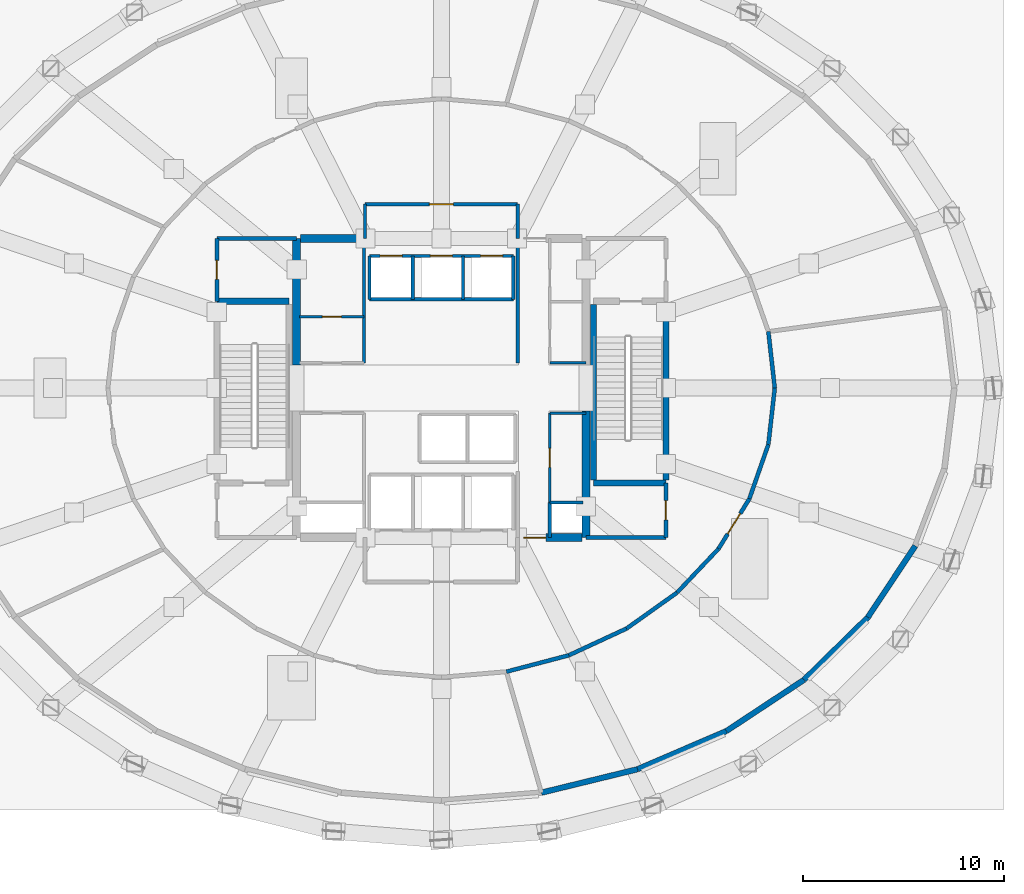
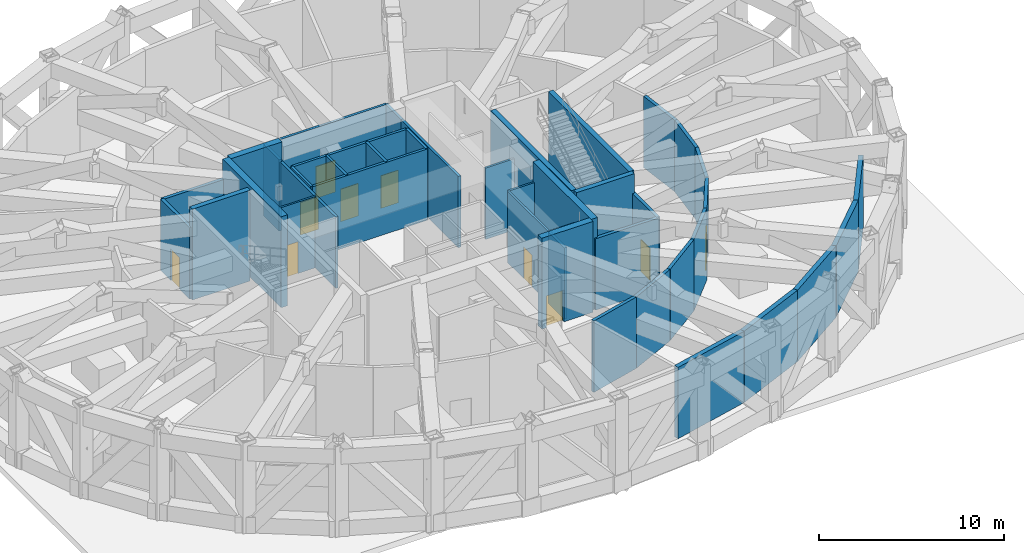
# One storey, part 6 of 12: 42 walls, 10 doors, 10 openings.
"""IFC4 building model written with IfcOpenShell, lengths in metres."""

from ifc_helpers import new_model, si_unit, direction, frame, frame_2d, origin, place, context, subcontext, project, spatial, rectangle, extrude, material, layer, layer_set, type_object, element, fill, save


model = new_model("IFC4")

# Units and contexts
model_context = context("Model", 3, precision=1e-05, world=origin(), true_north=direction((0.0, 1.0)))
body_context = subcontext(model_context, "Body", "Model", "MODEL_VIEW")
ifc_project = project(units=[si_unit("LENGTHUNIT", "METRE"), si_unit("AREAUNIT", "SQUARE_METRE"), si_unit("VOLUMEUNIT", "CUBIC_METRE"), si_unit("PLANEANGLEUNIT", "RADIAN"), si_unit("MASSUNIT", "GRAM", prefix="KILO")], contexts=[model_context])

# Site, building, storey
site_placement = place(None, origin())
site = spatial("IfcSite", under=ifc_project, at=site_placement, CompositionType="ELEMENT")
building_placement = place(site_placement, origin())
building = spatial("IfcBuilding", under=site, at=building_placement, Name="Veldorina Hangang Commons", CompositionType="ELEMENT")
storey_placement = place(building_placement, frame((0.0, 0.0, 24.39990234375)))
storey = spatial("IfcBuildingStorey", under=building, at=storey_placement, Name="L05", CompositionType="ELEMENT", Elevation=24.39990234375)

# Walls
ifc_material_1 = material(Name="Concrete C70/85", Category="concrete")
ifc_layer_1 = layer(ifc_material_1, 0.39990234375)
ifc_layer_set_1 = layer_set([ifc_layer_1], Name="Concrete C70/85")
wall_type_1 = type_object("IfcWallType", Name="CW-RC400-C70", PredefinedType="SHEAR", material=ifc_layer_set_1)
for number, where, z_axis, x_axis, name in (
    (1, (24.800048828125, 25.14990234375, 0.0), (0.0, 0.0, 1.0), (0.0, 1.0, 0.0), "L05 W north core shear wall"),
    (2, (39.199951171875, 16.550048828125, 0.0), (0.0, 0.0, 1.0), (0.0, 1.0, 0.0), "L05 E south core shear wall"),
):
    element("IfcWall", number, at=place(storey_placement, frame(where, z_axis=z_axis, x_axis=x_axis)), inside=storey, type_object=wall_type_1, Name=name, PredefinedType="SHEAR", context=body_context, shape_type="SweptSolid", body=[
        extrude(rectangle(XDim=6.300048828125, YDim=0.39990234375, at=frame_2d((3.14990234375, 0.0))), origin(), (0.0, 0.0, 1.0), 6.0),
    ])

# Wall, opening, door
wall_1_placement = place(storey_placement, frame((35.800048828125, 16.550048828125, 0.0), z_axis=(0.0, 0.0, 1.0), x_axis=(1.0, 0.0, 0.0)))
wall_1 = element("IfcWall", 3, at=wall_1_placement, inside=storey, type_object=wall_type_1, Name="L05 south-east core shear wall", PredefinedType="SHEAR", context=body_context, shape_type="SweptSolid", body=[
    extrude(rectangle(XDim=3.199951171875, YDim=0.39990234375, at=frame_2d((1.60009765625, 0.0))), origin(), (0.0, 0.0, 1.0), 6.0),
])
opening_1_placement = place(wall_1_placement, frame((0.300048828125, 0.0, 0.0)))
opening_1 = element("IfcOpeningElement", 4, at=opening_1_placement, cuts=wall_1, Name="Opening D-08", PredefinedType="OPENING", context=body_context, shape_type="SweptSolid", body=[
    extrude(rectangle(XDim=1.10009765625, YDim=2.10009765625, at=frame_2d((0.550048828125, 1.050048828125))), frame((0.0, 0.2099609375, 0.0), z_axis=(0.0, -1.0, 0.0), x_axis=(1.0, 0.0, 0.0)), (0.0, 0.0, 1.0), 0.419921875),
])
ifc_material_2 = material(Name="Steel Fire-Rated Smoke Seal", Category="steel")
door_type_1 = type_object("IfcDoorType", Name="DR-FIRE-1100", OperationType="SINGLE_SWING_RIGHT", PredefinedType="DOOR", material=ifc_material_2)
door_1_placement = place(opening_1_placement, origin())
door_1 = element("IfcDoor", 5, at=door_1_placement, inside=storey, type_object=door_type_1, Name="L05 central lift lobby south corridor door", OperationType="SINGLE_SWING_RIGHT", OverallHeight=2.10009765625, OverallWidth=1.10009765625, PredefinedType="DOOR", context=body_context, shape_type="SweptSolid", body=[
    extrude(rectangle(XDim=1.10009765625, YDim=2.10009765625, at=frame_2d((0.550048828125, 1.050048828125))), frame((0.0, 0.02490234375, 0.0), z_axis=(0.0, -1.0, 0.0), x_axis=(1.0, 0.0, 0.0)), (0.0, 0.0, 1.0), 0.050048828125),
])
fill(opening_1, door_1)

# Walls
wall_2_placement = place(storey_placement, frame((25.0, 31.449951171875, 0.0), z_axis=(0.0, 0.0, 1.0), x_axis=(1.0, 0.0, 0.0)))
element("IfcWall", 6, at=wall_2_placement, inside=storey, type_object=wall_type_1, Name="L05 north-west core shear wall", PredefinedType="SHEAR", context=body_context, shape_type="SweptSolid", body=[
    extrude(rectangle(XDim=3.199951171875, YDim=0.39990234375, at=frame_2d((1.60009765625, 0.0))), origin(), (0.0, 0.0, 1.0), 6.0),
])
ifc_material_3 = material(Name="Stone Roman Travertine", Category="masonry")
ifc_layer_2 = layer(ifc_material_3, 0.280029296875)
ifc_layer_set_2 = layer_set([ifc_layer_2], Name="Stone Roman Travertine")
wall_type_2 = type_object("IfcWallType", Name="EW-TRAV-280", PredefinedType="STANDARD", material=ifc_layer_set_2)
wall_3_placement = place(storey_placement, frame((36.982666015625, 3.854736328125, 0.0), z_axis=(0.0, 0.0, 1.0), x_axis=(0.97151283312, 0.236986951292, 0.0)))
element("IfcWall", 7, at=wall_3_placement, inside=storey, type_object=wall_type_2, Name="L05 transfer plant exterior stone wall 25", PredefinedType="STANDARD", context=body_context, shape_type="SweptSolid", body=[
    extrude(rectangle(XDim=4.931396484375, YDim=0.280029296875, at=frame_2d((2.4658203125, 0.0))), origin(), (0.0, 0.0, 1.0), 4.710205078125),
])
wall_4_placement = place(storey_placement, frame((41.773681640625, 5.0234375, 0.0), z_axis=(0.0, 0.0, 1.0), x_axis=(0.918705683067, 0.394942866629, 0.0)))
element("IfcWall", 8, at=wall_4_placement, inside=storey, type_object=wall_type_2, Name="L05 transfer plant exterior stone wall 26", PredefinedType="STANDARD", context=body_context, shape_type="SweptSolid", body=[
    extrude(rectangle(XDim=4.80615234375, YDim=0.280029296875, at=frame_2d((2.403076171875, 0.0))), origin(), (0.0, 0.0, 1.0), 4.710205078125),
])
wall_5_placement = place(storey_placement, frame((46.189208984375, 6.921630859375, 0.0), z_axis=(0.0, 0.0, 1.0), x_axis=(0.834608922487, 0.550842941776, 0.0)))
element("IfcWall", 9, at=wall_5_placement, inside=storey, type_object=wall_type_2, Name="L05 transfer plant exterior stone wall 27", PredefinedType="STANDARD", context=body_context, shape_type="SweptSolid", body=[
    extrude(rectangle(XDim=4.637451171875, YDim=0.280029296875, at=frame_2d((2.31884765625, 0.0))), origin(), (0.0, 0.0, 1.0), 4.710205078125),
])
wall_6_placement = place(storey_placement, frame((50.0595703125, 9.47607421875, 0.0), z_axis=(0.0, 0.0, 1.0), x_axis=(0.714207899037, 0.699933623248, 0.0)))
element("IfcWall", 10, at=wall_6_placement, inside=storey, type_object=wall_type_2, Name="L05 transfer plant exterior stone wall 28", PredefinedType="STANDARD", context=body_context, shape_type="SweptSolid", body=[
    extrude(rectangle(XDim=4.447021484375, YDim=0.280029296875, at=frame_2d((2.2236328125, 0.0))), origin(), (0.0, 0.0, 1.0), 4.710205078125),
])
wall_7_placement = place(storey_placement, frame((53.235595703125, 12.588623046875, 0.0), z_axis=(0.0, 0.0, 1.0), x_axis=(0.55356334222, 0.832807076189, 0.0)))
element("IfcWall", 11, at=wall_7_placement, inside=storey, type_object=wall_type_2, Name="L05 transfer plant exterior stone wall 29", PredefinedType="STANDARD", context=body_context, shape_type="SweptSolid", body=[
    extrude(rectangle(XDim=4.263916015625, YDim=0.280029296875, at=frame_2d((2.1318359375, 0.0))), origin(), (0.0, 0.0, 1.0), 4.710205078125),
])
ifc_material_4 = material(Name="Concrete C50/60", Category="concrete")
ifc_layer_3 = layer(ifc_material_4, 0.300048828125)
ifc_layer_set_3 = layer_set([ifc_layer_3], Name="Concrete C50/60")
wall_type_3 = type_object("IfcWallType", Name="SW-STAIR-300", PredefinedType="SHEAR", material=ifc_layer_set_3)
wall_8_placement = place(storey_placement, frame((20.820068359375, 28.320068359375, 0.0), z_axis=(0.0, 0.0, 1.0), x_axis=(1.0, 0.0, 0.0)))
element("IfcWall", 12, at=wall_8_placement, inside=storey, type_object=wall_type_3, Name="L05 ST1 north stair shear wall", PredefinedType="SHEAR", context=body_context, shape_type="SweptSolid", body=[
    extrude(rectangle(XDim=3.599853515625, YDim=0.300048828125, at=frame_2d((1.7998046875, 0.0))), origin(), (0.0, 0.0, 1.0), 6.0),
])
for number, where, z_axis, x_axis, name in (
    (13, (43.179931640625, 19.429931640625, 0.0), (0.0, 0.0, 1.0), (0.0, 1.0, 0.0), "L05 ST2 outer stair shear wall"),
    (14, (39.580078125, 19.429931640625, 0.0), (0.0, 0.0, 1.0), (0.0, 1.0, 0.0), "L05 ST2 inner stair shear wall"),
):
    element("IfcWall", number, at=place(storey_placement, frame(where, z_axis=z_axis, x_axis=x_axis)), inside=storey, type_object=wall_type_3, Name=name, PredefinedType="SHEAR", context=body_context, shape_type="SweptSolid", body=[
        extrude(rectangle(XDim=8.739990234375, YDim=0.300048828125, at=frame_2d((4.3701171875, 0.0))), origin(), (0.0, 0.0, 1.0), 6.0),
    ])
wall_9_placement = place(storey_placement, frame((39.580078125, 19.280029296875, 0.0), z_axis=(0.0, 0.0, 1.0), x_axis=(1.0, 0.0, 0.0)))
element("IfcWall", 15, at=wall_9_placement, inside=storey, type_object=wall_type_3, Name="L05 ST2 south stair shear wall", PredefinedType="SHEAR", context=body_context, shape_type="SweptSolid", body=[
    extrude(rectangle(XDim=3.599853515625, YDim=0.300048828125, at=frame_2d((1.7998046875, 0.0))), origin(), (0.0, 0.0, 1.0), 6.0),
])
ifc_material_5 = material(Name="Gypsum Fire-Rated Twin Stud Wall", Category="gypsum")
ifc_layer_4 = layer(ifc_material_5, 0.159912109375)
ifc_layer_set_4 = layer_set([ifc_layer_4], Name="Gypsum Fire-Rated Twin Stud Wall")
wall_type_4 = type_object("IfcWallType", Name="WL-FIRE-160", PredefinedType="SOLIDWALL", material=ifc_layer_set_4)
wall_10_placement = place(storey_placement, frame((37.39990234375, 16.550048828125, 0.0), z_axis=(0.0, 0.0, 1.0), x_axis=(0.0, 1.0, 0.0)))
element("IfcWall", 16, at=wall_10_placement, inside=storey, type_object=wall_type_4, Name="L05 Lift passage SE stub 010", PredefinedType="SOLIDWALL", context=body_context, shape_type="SweptSolid", body=[
    extrude(rectangle(XDim=1.75, YDim=0.159912109375, at=frame_2d((0.875, 0.0))), origin(), (0.0, 0.0, 1.0), 4.710205078125),
])
wall_11_placement = place(storey_placement, frame((35.800048828125, 25.25, 0.0), z_axis=(0.0, 0.0, 1.0), x_axis=(0.0, 1.0, 0.0)))
element("IfcWall", 17, at=wall_11_placement, inside=storey, type_object=wall_type_4, Name="L05 Lift passage NW wall 011", PredefinedType="SOLIDWALL", context=body_context, shape_type="SweptSolid", body=[
    extrude(rectangle(XDim=6.199951171875, YDim=0.159912109375, at=frame_2d((3.10009765625, 0.0))), origin(), (0.0, 0.0, 1.0), 4.710205078125),
])

# Wall, openings, doors
wall_12_placement = place(storey_placement, frame((28.419921875, 30.580078125, 0.0), z_axis=(0.0, 0.0, 1.0), x_axis=(1.0, 0.0, 0.0)))
wall_12 = element("IfcWall", 18, at=wall_12_placement, inside=storey, type_object=wall_type_4, Name="L05 Low-bank front shaft wall 015", PredefinedType="SOLIDWALL", context=body_context, shape_type="SweptSolid", body=[
    extrude(rectangle(XDim=7.16015625, YDim=0.159912109375, at=frame_2d((3.580078125, 0.0))), origin(), (0.0, 0.0, 1.0), 4.710205078125),
])
opening_2_placement = place(wall_12_placement, frame((0.530029296875, 0.0, 0.0)))
opening_2 = element("IfcOpeningElement", 19, at=opening_2_placement, cuts=wall_12, Name="Opening LD-01", PredefinedType="OPENING", context=body_context, shape_type="SweptSolid", body=[
    extrude(rectangle(XDim=1.10009765625, YDim=2.14990234375, at=frame_2d((0.550048828125, 1.074951171875))), frame((0.0, 0.08984375, 0.0), z_axis=(0.0, -1.0, 0.0), x_axis=(1.0, 0.0, 0.0)), (0.0, 0.0, 1.0), 0.179931640625),
])
opening_3_placement = place(wall_12_placement, frame((3.030029296875, 0.0, 0.0)))
opening_3 = element("IfcOpeningElement", 20, at=opening_3_placement, cuts=wall_12, Name="Opening LD-01", PredefinedType="OPENING", context=body_context, shape_type="SweptSolid", body=[
    extrude(rectangle(XDim=1.10009765625, YDim=2.14990234375, at=frame_2d((0.550048828125, 1.074951171875))), frame((0.0, 0.08984375, 0.0), z_axis=(0.0, -1.0, 0.0), x_axis=(1.0, 0.0, 0.0)), (0.0, 0.0, 1.0), 0.179931640625),
])
opening_4_placement = place(wall_12_placement, frame((5.530029296875, 0.0, 0.0)))
opening_4 = element("IfcOpeningElement", 21, at=opening_4_placement, cuts=wall_12, Name="Opening LD-01", PredefinedType="OPENING", context=body_context, shape_type="SweptSolid", body=[
    extrude(rectangle(XDim=1.10009765625, YDim=2.14990234375, at=frame_2d((0.550048828125, 1.074951171875))), frame((0.0, 0.08984375, 0.0), z_axis=(0.0, -1.0, 0.0), x_axis=(1.0, 0.0, 0.0)), (0.0, 0.0, 1.0), 0.179931640625),
])
ifc_material_6 = material(Name="Stainless Steel Brushed Lift Door", Category="steel")
door_type_2 = type_object("IfcDoorType", Name="DR-LIFT-1100", OperationType="SLIDING_TO_LEFT", PredefinedType="DOOR", material=ifc_material_6)
door_2_placement = place(opening_2_placement, origin())
door_2 = element("IfcDoor", 22, at=door_2_placement, inside=storey, type_object=door_type_2, Name="L05 Lift PL-L1 landing door 006", OperationType="SLIDING_TO_LEFT", OverallHeight=2.14990234375, OverallWidth=1.10009765625, PredefinedType="DOOR", context=body_context, shape_type="SweptSolid", body=[
    extrude(rectangle(XDim=1.10009765625, YDim=2.14990234375, at=frame_2d((0.550048828125, 1.074951171875))), frame((0.0, 0.02490234375, 0.0), z_axis=(0.0, -1.0, 0.0), x_axis=(1.0, 0.0, 0.0)), (0.0, 0.0, 1.0), 0.050048828125),
])
fill(opening_2, door_2)
door_3_placement = place(opening_3_placement, origin())
door_3 = element("IfcDoor", 23, at=door_3_placement, inside=storey, type_object=door_type_2, Name="L05 Lift PL-L2 landing door 007", OperationType="SLIDING_TO_LEFT", OverallHeight=2.14990234375, OverallWidth=1.10009765625, PredefinedType="DOOR", context=body_context, shape_type="SweptSolid", body=[
    extrude(rectangle(XDim=1.10009765625, YDim=2.14990234375, at=frame_2d((0.550048828125, 1.074951171875))), frame((0.0, 0.02490234375, 0.0), z_axis=(0.0, -1.0, 0.0), x_axis=(1.0, 0.0, 0.0)), (0.0, 0.0, 1.0), 0.050048828125),
])
fill(opening_3, door_3)
door_4_placement = place(opening_4_placement, origin())
door_4 = element("IfcDoor", 24, at=door_4_placement, inside=storey, type_object=door_type_2, Name="L05 Lift PL-L3 landing door 008", OperationType="SLIDING_TO_LEFT", OverallHeight=2.14990234375, OverallWidth=1.10009765625, PredefinedType="DOOR", context=body_context, shape_type="SweptSolid", body=[
    extrude(rectangle(XDim=1.10009765625, YDim=2.14990234375, at=frame_2d((0.550048828125, 1.074951171875))), frame((0.0, 0.02490234375, 0.0), z_axis=(0.0, -1.0, 0.0), x_axis=(1.0, 0.0, 0.0)), (0.0, 0.0, 1.0), 0.050048828125),
])
fill(opening_4, door_4)

# Walls
wall_13_placement = place(storey_placement, frame((28.419921875, 28.419921875, 0.0), z_axis=(0.0, 0.0, 1.0), x_axis=(1.0, 0.0, 0.0)))
element("IfcWall", 25, at=wall_13_placement, inside=storey, type_object=wall_type_4, Name="L05 Low-bank rear shaft wall 016", PredefinedType="SOLIDWALL", context=body_context, shape_type="SweptSolid", body=[
    extrude(rectangle(XDim=7.16015625, YDim=0.159912109375, at=frame_2d((3.580078125, 0.0))), origin(), (0.0, 0.0, 1.0), 4.710205078125),
])
for number, where, z_axis, x_axis, name in (
    (26, (28.419921875, 28.419921875, 0.0), (0.0, 0.0, 1.0), (0.0, 1.0, 0.0), "L05 PL-L1 west shaft wall 017"),
    (27, (30.580078125, 28.419921875, 0.0), (0.0, 0.0, 1.0), (0.0, 1.0, 0.0), "L05 PL-L1 east shaft wall 018"),
    (28, (33.080078125, 28.419921875, 0.0), (0.0, 0.0, 1.0), (0.0, 1.0, 0.0), "L05 PL-L2 east shaft wall 019"),
    (29, (35.580078125, 28.419921875, 0.0), (0.0, 0.0, 1.0), (0.0, 1.0, 0.0), "L05 PL-L3 east shaft wall 020"),
):
    element("IfcWall", number, at=place(storey_placement, frame(where, z_axis=z_axis, x_axis=x_axis)), inside=storey, type_object=wall_type_4, Name=name, PredefinedType="SOLIDWALL", context=body_context, shape_type="SweptSolid", body=[
        extrude(rectangle(XDim=2.16015625, YDim=0.159912109375, at=frame_2d((1.080078125, 0.0))), origin(), (0.0, 0.0, 1.0), 4.710205078125),
    ])
for number, where, z_axis, x_axis, name in (
    (30, (28.199951171875, 31.449951171875, 0.0), (0.0, 0.0, 1.0), (0.0, 1.0, 0.0), "L05 North lobby west wall 032"),
    (31, (35.800048828125, 31.449951171875, 0.0), (0.0, 0.0, 1.0), (0.0, 1.0, 0.0), "L05 North lobby east wall 033"),
):
    element("IfcWall", number, at=place(storey_placement, frame(where, z_axis=z_axis, x_axis=x_axis)), inside=storey, type_object=wall_type_4, Name=name, PredefinedType="SOLIDWALL", context=body_context, shape_type="SweptSolid", body=[
        extrude(rectangle(XDim=1.699951171875, YDim=0.159912109375, at=frame_2d((0.85009765625, 0.0))), origin(), (0.0, 0.0, 1.0), 4.710205078125),
    ])

# Wall, opening, door
wall_14_placement = place(storey_placement, frame((28.199951171875, 33.14990234375, 0.0), z_axis=(0.0, 0.0, 1.0), x_axis=(1.0, 0.0, 0.0)))
wall_14 = element("IfcWall", 32, at=wall_14_placement, inside=storey, type_object=wall_type_4, Name="L05 North lobby north wall 034", PredefinedType="SOLIDWALL", context=body_context, shape_type="SweptSolid", body=[
    extrude(rectangle(XDim=7.60009765625, YDim=0.159912109375, at=frame_2d((3.800048828125, 0.0))), origin(), (0.0, 0.0, 1.0), 4.710205078125),
])
opening_5_placement = place(wall_14_placement, frame((3.199951171875, 0.0, 0.0)))
opening_5 = element("IfcOpeningElement", 33, at=opening_5_placement, cuts=wall_14, Name="Opening D-09", PredefinedType="OPENING", context=body_context, shape_type="SweptSolid", body=[
    extrude(rectangle(XDim=1.199951171875, YDim=2.10009765625, at=frame_2d((0.60009765625, 1.050048828125))), frame((0.0, 0.08984375, 0.0), z_axis=(0.0, -1.0, 0.0), x_axis=(1.0, 0.0, 0.0)), (0.0, 0.0, 1.0), 0.179931640625),
])
ifc_material_7 = material(Name="Steel Fire-Rated Corridor Door", Category="steel")
door_type_3 = type_object("IfcDoorType", Name="DR-FIRE-1200", OperationType="SINGLE_SWING_LEFT", PredefinedType="DOOR", material=ifc_material_7)
door_5_placement = place(opening_5_placement, origin())
door_5 = element("IfcDoor", 34, at=door_5_placement, inside=storey, type_object=door_type_3, Name="L05 North lift lobby corridor door 012", OperationType="SINGLE_SWING_RIGHT", OverallHeight=2.10009765625, OverallWidth=1.199951171875, PredefinedType="DOOR", context=body_context, shape_type="SweptSolid", body=[
    extrude(rectangle(XDim=1.199951171875, YDim=2.10009765625, at=frame_2d((0.60009765625, 1.050048828125))), frame((0.0, 0.02490234375, 0.0), z_axis=(0.0, -1.0, 0.0), x_axis=(1.0, 0.0, 0.0)), (0.0, 0.0, 1.0), 0.050048828125),
])
fill(opening_5, door_5)

# Walls
wall_15_placement = place(storey_placement, frame((37.39990234375, 18.300048828125, 0.0), z_axis=(0.0, 0.0, 1.0), x_axis=(1.0, 0.0, 0.0)))
element("IfcWall", 35, at=wall_15_placement, inside=storey, type_object=wall_type_4, Name="L05 Plumbing riser wall 037", PredefinedType="SOLIDWALL", context=body_context, shape_type="SweptSolid", body=[
    extrude(rectangle(XDim=1.650146484375, YDim=0.159912109375, at=frame_2d((0.8251953125, 0.0))), origin(), (0.0, 0.0, 1.0), 4.710205078125),
])
wall_16_placement = place(storey_placement, frame((28.14990234375, 25.25, 0.0), z_axis=(0.0, 0.0, 1.0), x_axis=(0.0, 1.0, 0.0)))
element("IfcWall", 36, at=wall_16_placement, inside=storey, type_object=wall_type_4, Name="L05 NW core inner wall 038", PredefinedType="SOLIDWALL", context=body_context, shape_type="SweptSolid", body=[
    extrude(rectangle(XDim=6.10009765625, YDim=0.159912109375, at=frame_2d((3.050048828125, 0.0))), origin(), (0.0, 0.0, 1.0), 4.710205078125),
])

# Wall, opening, door
ifc_material_8 = material(Name="Concrete Blockwork Fire Wall C30/37", Category="masonry")
ifc_layer_5 = layer(ifc_material_8, 0.199951171875)
ifc_layer_set_5 = layer_set([ifc_layer_5], Name="Concrete Blockwork Fire Wall C30/37")
wall_type_5 = type_object("IfcWallType", Name="WL-FIRE-200", PredefinedType="SOLIDWALL", material=ifc_layer_set_5)
wall_17_placement = place(storey_placement, frame((20.820068359375, 28.320068359375, 0.0), z_axis=(0.0, 0.0, 1.0), x_axis=(0.0, 1.0, 0.0)))
wall_17 = element("IfcWall", 37, at=wall_17_placement, inside=storey, type_object=wall_type_5, Name="L05 NW core room outer wall 005", PredefinedType="SOLIDWALL", context=body_context, shape_type="SweptSolid", body=[
    extrude(rectangle(XDim=3.1298828125, YDim=0.199951171875, at=frame_2d((1.56494140625, 0.0))), origin(), (0.0, 0.0, 1.0), 4.710205078125),
])
opening_6_placement = place(wall_17_placement, frame((1.090087890625, 0.0, 0.0)))
opening_6 = element("IfcOpeningElement", 38, at=opening_6_placement, cuts=wall_17, Name="Opening D-04", PredefinedType="OPENING", context=body_context, shape_type="SweptSolid", body=[
    extrude(rectangle(XDim=0.949951171875, YDim=2.10009765625, at=frame_2d((0.47509765625, 1.050048828125))), frame((0.0, 0.10986328125, 0.0), z_axis=(0.0, -1.0, 0.0), x_axis=(1.0, 0.0, 0.0)), (0.0, 0.0, 1.0), 0.219970703125),
])
ifc_material_9 = material(Name="Timber Accessible Flush Leaf", Category="wood")
door_type_4 = type_object("IfcDoorType", Name="DR-ACC-950", OperationType="SINGLE_SWING_LEFT", PredefinedType="DOOR", material=ifc_material_9)
door_6_placement = place(opening_6_placement, origin())
door_6 = element("IfcDoor", 39, at=door_6_placement, inside=storey, type_object=door_type_4, Name="L05 NW core WC door 003", OperationType="SINGLE_SWING_LEFT", OverallHeight=2.10009765625, OverallWidth=0.949951171875, PredefinedType="DOOR", context=body_context, shape_type="SweptSolid", body=[
    extrude(rectangle(XDim=0.949951171875, YDim=2.10009765625, at=frame_2d((0.47509765625, 1.050048828125))), frame((0.0, 0.02490234375, 0.0), z_axis=(0.0, -1.0, 0.0), x_axis=(1.0, 0.0, 0.0)), (0.0, 0.0, 1.0), 0.050048828125),
])
fill(opening_6, door_6)

# Wall
wall_18_placement = place(storey_placement, frame((20.820068359375, 31.449951171875, 0.0), z_axis=(0.0, 0.0, 1.0), x_axis=(1.0, 0.0, 0.0)))
element("IfcWall", 40, at=wall_18_placement, inside=storey, type_object=wall_type_5, Name="L05 NW core room north wall 006", PredefinedType="SOLIDWALL", context=body_context, shape_type="SweptSolid", body=[
    extrude(rectangle(XDim=3.97998046875, YDim=0.199951171875, at=frame_2d((1.989990234375, 0.0))), origin(), (0.0, 0.0, 1.0), 4.710205078125),
])

# Wall, opening, door
wall_19_placement = place(storey_placement, frame((43.179931640625, 16.550048828125, 0.0), z_axis=(0.0, 0.0, 1.0), x_axis=(0.0, 1.0, 0.0)))
wall_19 = element("IfcWall", 41, at=wall_19_placement, inside=storey, type_object=wall_type_5, Name="L05 SE core room outer wall 007", PredefinedType="SOLIDWALL", context=body_context, shape_type="SweptSolid", body=[
    extrude(rectangle(XDim=2.72998046875, YDim=0.199951171875, at=frame_2d((1.364990234375, 0.0))), origin(), (0.0, 0.0, 1.0), 4.710205078125),
])
opening_7_placement = place(wall_19_placement, frame((0.889892578125, 0.0, 0.0)))
opening_7 = element("IfcOpeningElement", 42, at=opening_7_placement, cuts=wall_19, Name="Opening D-02", PredefinedType="OPENING", context=body_context, shape_type="SweptSolid", body=[
    extrude(rectangle(XDim=0.949951171875, YDim=2.10009765625, at=frame_2d((0.47509765625, 1.050048828125))), frame((0.0, 0.10986328125, 0.0), z_axis=(0.0, -1.0, 0.0), x_axis=(1.0, 0.0, 0.0)), (0.0, 0.0, 1.0), 0.219970703125),
])
ifc_material_10 = material(Name="Timber Solid Core Acoustic", Category="wood")
door_type_5 = type_object("IfcDoorType", Name="DR-INT-950", OperationType="SINGLE_SWING_LEFT", PredefinedType="DOOR", material=ifc_material_10)
door_7_placement = place(opening_7_placement, origin())
door_7 = element("IfcDoor", 43, at=door_7_placement, inside=storey, type_object=door_type_5, Name="L05 SE core WC door 004", OperationType="SINGLE_SWING_RIGHT", OverallHeight=2.10009765625, OverallWidth=0.949951171875, PredefinedType="DOOR", context=body_context, shape_type="SweptSolid", body=[
    extrude(rectangle(XDim=0.949951171875, YDim=2.10009765625, at=frame_2d((0.47509765625, 1.050048828125))), frame((0.0, 0.02490234375, 0.0), z_axis=(0.0, -1.0, 0.0), x_axis=(1.0, 0.0, 0.0)), (0.0, 0.0, 1.0), 0.050048828125),
])
fill(opening_7, door_7)

# Walls
wall_20_placement = place(storey_placement, frame((39.199951171875, 16.550048828125, 0.0), z_axis=(0.0, 0.0, 1.0), x_axis=(1.0, 0.0, 0.0)))
element("IfcWall", 44, at=wall_20_placement, inside=storey, type_object=wall_type_5, Name="L05 SE core room south wall 008", PredefinedType="SOLIDWALL", context=body_context, shape_type="SweptSolid", body=[
    extrude(rectangle(XDim=3.97998046875, YDim=0.199951171875, at=frame_2d((1.989990234375, 0.0))), origin(), (0.0, 0.0, 1.0), 4.710205078125),
])
wall_21_placement = place(storey_placement, frame((48.60009765625, 24.0, 0.0), z_axis=(0.0, 0.0, 1.0), x_axis=(-0.112857376865, 0.993611197847, 0.0)))
element("IfcWall", 45, at=wall_21_placement, inside=storey, type_object=wall_type_5, Name="L05 L05 corridor wall 00 047", PredefinedType="SOLIDWALL", context=body_context, shape_type="SweptSolid", body=[
    extrude(rectangle(XDim=2.827392578125, YDim=0.199951171875, at=frame_2d((1.41357421875, 0.0))), origin(), (0.0, 0.0, 1.0), 4.710205078125),
])
wall_22_placement = place(storey_placement, frame((35.238525390625, 9.876708984375, 0.0), z_axis=(0.0, 0.0, 1.0), x_axis=(0.967085339773, 0.2544522462, 0.0)))
element("IfcWall", 46, at=wall_22_placement, inside=storey, type_object=wall_type_5, Name="L05 L05 corridor wall 25 072", PredefinedType="SOLIDWALL", context=body_context, shape_type="SweptSolid", body=[
    extrude(rectangle(XDim=3.219970703125, YDim=0.199951171875, at=frame_2d((1.60986328125, 0.0))), origin(), (0.0, 0.0, 1.0), 4.710205078125),
])
wall_23_placement = place(storey_placement, frame((38.3525390625, 10.696044921875, 0.0), z_axis=(0.0, 0.0, 1.0), x_axis=(0.907205736671, 0.420687236971, 0.0)))
element("IfcWall", 47, at=wall_23_placement, inside=storey, type_object=wall_type_5, Name="L05 L05 corridor wall 26 073", PredefinedType="SOLIDWALL", context=body_context, shape_type="SweptSolid", body=[
    extrude(rectangle(XDim=3.163330078125, YDim=0.199951171875, at=frame_2d((1.58154296875, 0.0))), origin(), (0.0, 0.0, 1.0), 4.710205078125),
])
wall_24_placement = place(storey_placement, frame((41.222412109375, 12.02685546875, 0.0), z_axis=(0.0, 0.0, 1.0), x_axis=(0.814667287654, 0.579928625286, 0.0)))
element("IfcWall", 48, at=wall_24_placement, inside=storey, type_object=wall_type_5, Name="L05 L05 corridor wall 27 074", PredefinedType="SOLIDWALL", context=body_context, shape_type="SweptSolid", body=[
    extrude(rectangle(XDim=3.087890625, YDim=0.199951171875, at=frame_2d((1.5439453125, 0.0))), origin(), (0.0, 0.0, 1.0), 4.710205078125),
])
wall_25_placement = place(storey_placement, frame((43.738037109375, 13.817626953125, 0.0), z_axis=(0.0, 0.0, 1.0), x_axis=(0.687248541225, 0.726422358263, 0.0)))
element("IfcWall", 49, at=wall_25_placement, inside=storey, type_object=wall_type_5, Name="L05 L05 corridor wall 28 075", PredefinedType="SOLIDWALL", context=body_context, shape_type="SweptSolid", body=[
    extrude(rectangle(XDim=3.00390625, YDim=0.199951171875, at=frame_2d((1.501953125, 0.0))), origin(), (0.0, 0.0, 1.0), 4.710205078125),
])

# Wall, opening, door
wall_26_placement = place(storey_placement, frame((45.802490234375, 15.999755859375, 0.0), z_axis=(0.0, 0.0, 1.0), x_axis=(0.524539864295, 0.851385888282, 0.0)))
wall_26 = element("IfcWall", 50, at=wall_26_placement, inside=storey, type_object=wall_type_5, Name="L05 L05 corridor wall 29 076", PredefinedType="SOLIDWALL", context=body_context, shape_type="SweptSolid", body=[
    extrude(rectangle(XDim=2.92431640625, YDim=0.199951171875, at=frame_2d((1.462158203125, 0.0))), origin(), (0.0, 0.0, 1.0), 4.710205078125),
])
opening_8_placement = place(wall_26_placement, frame((0.8623046875, 0.0, 0.0)))
opening_8 = element("IfcOpeningElement", 51, at=opening_8_placement, cuts=wall_26, Name="Opening D-10", PredefinedType="OPENING", context=body_context, shape_type="SweptSolid", body=[
    extrude(rectangle(XDim=1.199951171875, YDim=2.10009765625, at=frame_2d((0.60009765625, 1.050048828125))), frame((0.0, 0.10986328125, 0.0), z_axis=(0.0, -1.0, 0.0), x_axis=(1.0, 0.0, 0.0)), (0.0, 0.0, 1.0), 0.219970703125),
])
ifc_material_11 = material(Name="Steel Heavy-Duty Acoustic Plant", Category="steel")
door_type_6 = type_object("IfcDoorType", Name="DR-PLANT-1200", OperationType="SINGLE_SWING_RIGHT", PredefinedType="DOOR", material=ifc_material_11)
door_8_placement = place(opening_8_placement, origin())
door_8 = element("IfcDoor", 52, at=door_8_placement, inside=storey, type_object=door_type_6, Name="L05 Main Electrical Switchgear Room door 023", OperationType="SINGLE_SWING_LEFT", OverallHeight=2.10009765625, OverallWidth=1.199951171875, PredefinedType="DOOR", context=body_context, shape_type="SweptSolid", body=[
    extrude(rectangle(XDim=1.199951171875, YDim=2.10009765625, at=frame_2d((0.60009765625, 1.050048828125))), frame((0.0, 0.02490234375, 0.0), z_axis=(0.0, -1.0, 0.0), x_axis=(1.0, 0.0, 0.0)), (0.0, 0.0, 1.0), 0.050048828125),
])
fill(opening_8, door_8)

# Walls
wall_27_placement = place(storey_placement, frame((47.33642578125, 18.489501953125, 0.0), z_axis=(0.0, 0.0, 1.0), x_axis=(0.330091990738, 0.943948768552, 0.0)))
element("IfcWall", 53, at=wall_27_placement, inside=storey, type_object=wall_type_5, Name="L05 L05 corridor wall 30 077", PredefinedType="SOLIDWALL", context=body_context, shape_type="SweptSolid", body=[
    extrude(rectangle(XDim=2.861572265625, YDim=0.199951171875, at=frame_2d((1.4306640625, 0.0))), origin(), (0.0, 0.0, 1.0), 4.710205078125),
])
wall_28_placement = place(storey_placement, frame((48.281005859375, 21.190673828125, 0.0), z_axis=(0.0, 0.0, 1.0), x_axis=(0.112857376865, 0.993611197847, 0.0)))
element("IfcWall", 54, at=wall_28_placement, inside=storey, type_object=wall_type_5, Name="L05 L05 corridor wall 31 078", PredefinedType="SOLIDWALL", context=body_context, shape_type="SweptSolid", body=[
    extrude(rectangle(XDim=2.827392578125, YDim=0.199951171875, at=frame_2d((1.41357421875, 0.0))), origin(), (0.0, 0.0, 1.0), 4.710205078125),
])
ifc_material_12 = material(Name="Gypsum Acoustic Stud Partition", Category="gypsum")
ifc_layer_6 = layer(ifc_material_12, 0.1201171875)
ifc_layer_set_6 = layer_set([ifc_layer_6], Name="Gypsum Acoustic Stud Partition")
wall_type_6 = type_object("IfcWallType", Name="WL-PART-120", PredefinedType="PARTITIONING", material=ifc_layer_set_6)
wall_29_placement = place(storey_placement, frame((37.39990234375, 25.25, 0.0), z_axis=(0.0, 0.0, 1.0), x_axis=(1.0, 0.0, 0.0)))
element("IfcWall", 55, at=wall_29_placement, inside=storey, type_object=wall_type_6, Name="L05 NE strip south return wall 042", PredefinedType="PARTITIONING", context=body_context, shape_type="SweptSolid", body=[
    extrude(rectangle(XDim=1.800048828125, YDim=0.1201171875, at=frame_2d((0.89990234375, 0.0))), origin(), (0.0, 0.0, 1.0), 4.710205078125),
])

# Wall, opening, door
wall_30_placement = place(storey_placement, frame((37.39990234375, 18.300048828125, 0.0), z_axis=(0.0, 0.0, 1.0), x_axis=(0.0, 1.0, 0.0)))
wall_30 = element("IfcWall", 56, at=wall_30_placement, inside=storey, type_object=wall_type_6, Name="L05 SE strip lobby wall 043", PredefinedType="PARTITIONING", context=body_context, shape_type="SweptSolid", body=[
    extrude(rectangle(XDim=4.449951171875, YDim=0.1201171875, at=frame_2d((2.22509765625, 0.0))), origin(), (0.0, 0.0, 1.0), 4.710205078125),
])
opening_9_placement = place(wall_30_placement, frame((1.75, 0.0, 0.0)))
opening_9 = element("IfcOpeningElement", 57, at=opening_9_placement, cuts=wall_30, Name="Opening D-02", PredefinedType="OPENING", context=body_context, shape_type="SweptSolid", body=[
    extrude(rectangle(XDim=0.949951171875, YDim=2.10009765625, at=frame_2d((0.47509765625, 1.050048828125))), frame((0.0, 0.070068359375, 0.0), z_axis=(0.0, -1.0, 0.0), x_axis=(1.0, 0.0, 0.0)), (0.0, 0.0, 1.0), 0.14013671875),
])
door_9_placement = place(opening_9_placement, origin())
door_9 = element("IfcDoor", 58, at=door_9_placement, inside=storey, type_object=door_type_5, Name="L05 Cleaners supply door 018", OperationType="SINGLE_SWING_RIGHT", OverallHeight=2.10009765625, OverallWidth=0.949951171875, PredefinedType="DOOR", context=body_context, shape_type="SweptSolid", body=[
    extrude(rectangle(XDim=0.949951171875, YDim=2.10009765625, at=frame_2d((0.47509765625, 1.050048828125))), frame((0.0, 0.02490234375, 0.0), z_axis=(0.0, -1.0, 0.0), x_axis=(1.0, 0.0, 0.0)), (0.0, 0.0, 1.0), 0.050048828125),
])
fill(opening_9, door_9)

# Wall
wall_31_placement = place(storey_placement, frame((37.39990234375, 22.75, 0.0), z_axis=(0.0, 0.0, 1.0), x_axis=(1.0, 0.0, 0.0)))
element("IfcWall", 59, at=wall_31_placement, inside=storey, type_object=wall_type_6, Name="L05 SE strip north return wall 044", PredefinedType="PARTITIONING", context=body_context, shape_type="SweptSolid", body=[
    extrude(rectangle(XDim=1.800048828125, YDim=0.1201171875, at=frame_2d((0.89990234375, 0.0))), origin(), (0.0, 0.0, 1.0), 4.710205078125),
])

# Wall, opening, door
wall_32_placement = place(storey_placement, frame((24.949951171875, 27.550048828125, 0.0), z_axis=(0.0, 0.0, 1.0), x_axis=(1.0, 0.0, 0.0)))
wall_32 = element("IfcWall", 60, at=wall_32_placement, inside=storey, type_object=wall_type_6, Name="L05 NW mid wall 045", PredefinedType="PARTITIONING", context=body_context, shape_type="SweptSolid", body=[
    extrude(rectangle(XDim=3.199951171875, YDim=0.1201171875, at=frame_2d((1.60009765625, 0.0))), origin(), (0.0, 0.0, 1.0), 4.710205078125),
])
opening_10_placement = place(wall_32_placement, frame((1.125, 0.0, 0.0)))
opening_10 = element("IfcOpeningElement", 61, at=opening_10_placement, cuts=wall_32, Name="Opening D-02", PredefinedType="OPENING", context=body_context, shape_type="SweptSolid", body=[
    extrude(rectangle(XDim=0.949951171875, YDim=2.10009765625, at=frame_2d((0.47509765625, 1.050048828125))), frame((0.0, 0.070068359375, 0.0), z_axis=(0.0, -1.0, 0.0), x_axis=(1.0, 0.0, 0.0)), (0.0, 0.0, 1.0), 0.14013671875),
])
door_10_placement = place(opening_10_placement, origin())
door_10 = element("IfcDoor", 62, at=door_10_placement, inside=storey, type_object=door_type_5, Name="L05 Bedding store door 014", OperationType="SINGLE_SWING_RIGHT", OverallHeight=2.10009765625, OverallWidth=0.949951171875, PredefinedType="DOOR", context=body_context, shape_type="SweptSolid", body=[
    extrude(rectangle(XDim=0.949951171875, YDim=2.10009765625, at=frame_2d((0.47509765625, 1.050048828125))), frame((0.0, 0.02490234375, 0.0), z_axis=(0.0, -1.0, 0.0), x_axis=(1.0, 0.0, 0.0)), (0.0, 0.0, 1.0), 0.050048828125),
])
fill(opening_10, door_10)

save(model, "model.ifc")
